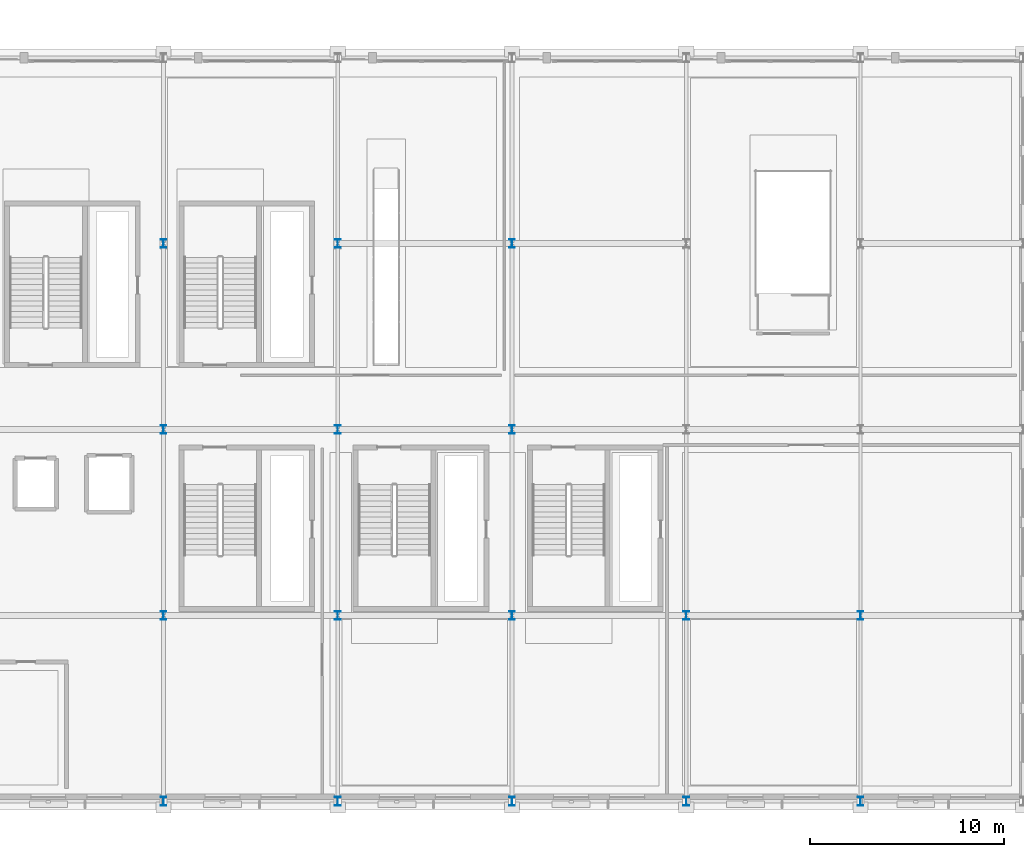
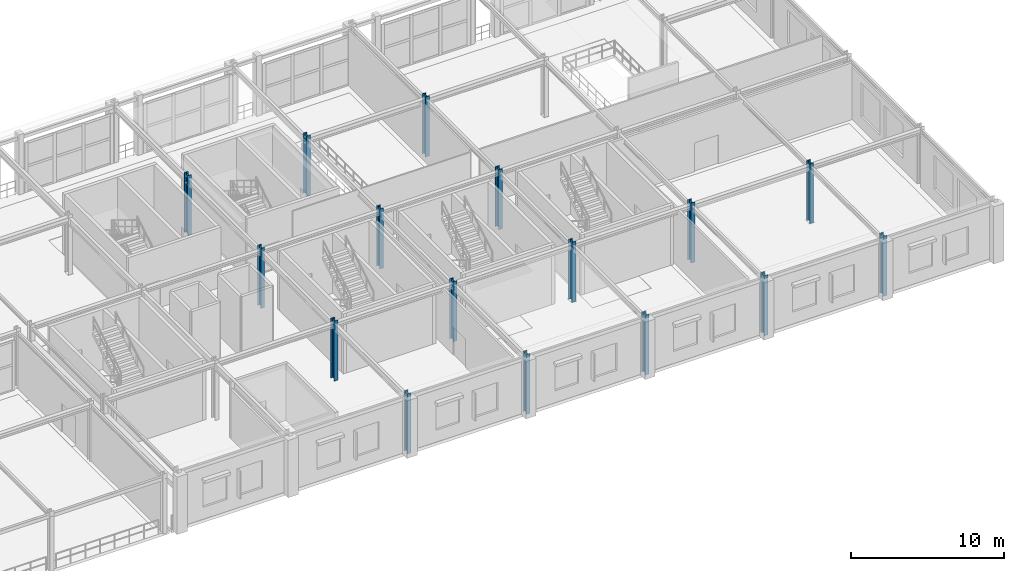
# One storey, part 17 of 125: 16 columns.
"""IFC4 building model written with IfcOpenShell, lengths in metres."""

from ifc_helpers import new_model, si_unit, direction, frame, origin, origin_2d, place, context, subcontext, project, spatial, i_section, extrude, material, material_profile, profile_set, type_object, element, save


model = new_model("IFC4")

# Units and contexts
model_context = context("Model", 3, precision=1e-05, world=origin(), true_north=direction((0.0, 1.0)))
body_context = subcontext(model_context, "Body", "Model", "MODEL_VIEW")
ifc_project = project(units=[si_unit("LENGTHUNIT", "METRE"), si_unit("AREAUNIT", "SQUARE_METRE"), si_unit("VOLUMEUNIT", "CUBIC_METRE"), si_unit("PLANEANGLEUNIT", "RADIAN"), si_unit("MASSUNIT", "GRAM", prefix="KILO")], contexts=[model_context])

# Site, building, storey
site_placement = place(None, origin())
site = spatial("IfcSite", under=ifc_project, at=site_placement, CompositionType="ELEMENT")
building_placement = place(site_placement, origin())
building = spatial("IfcBuilding", under=site, at=building_placement, Name="Myrtia Square Station", CompositionType="ELEMENT")
storey_placement = place(building_placement, frame((0.0, 0.0, 6.0)))
storey = spatial("IfcBuildingStorey", under=building, at=storey_placement, Name="L01", CompositionType="ELEMENT", Elevation=6.0)

# Columns
ifc_material = material(Name="Steel S355", Category="steel")
ifc_material_profile = material_profile(ifc_material, i_section(OverallWidth=0.300048828125, OverallDepth=0.449951171875, WebThickness=0.013916015625, FlangeThickness=0.02587890625, FilletRadius=0.027099609375, at=origin_2d()), Name="HEB 450")
ifc_profile_set = profile_set([ifc_material_profile], Name="Steel S355")
column_type = type_object("IfcColumnType", Name="COL-HEB450", PredefinedType="COLUMN", material=ifc_profile_set)
for number, where, z_axis, x_axis, name in (
    (1, (135.0, 0.0, 0.0), (0.0, 0.0, 1.0), (1.0, 0.0, 0.0), "Column L01-0611"),
    (2, (135.0, 9.60009765625, 0.0), (0.0, 0.0, 1.0), (1.0, 0.0, 0.0), "Column L01-0616"),
    (3, (135.0, 19.199951171875, 0.0), (0.0, 0.0, 1.0), (1.0, 0.0, 0.0), "Column L01-0621"),
    (4, (135.0, 28.800048828125, 0.0), (0.0, 0.0, 1.0), (1.0, 0.0, 0.0), "Column L01-0626"),
    (5, (144.0, 0.0, 0.0), (0.0, 0.0, 1.0), (1.0, 0.0, 0.0), "Column L01-0636"),
    (6, (144.0, 9.60009765625, 0.0), (0.0, 0.0, 1.0), (1.0, 0.0, 0.0), "Column L01-0641"),
    (7, (144.0, 19.199951171875, 0.0), (0.0, 0.0, 1.0), (1.0, 0.0, 0.0), "Column L01-0646"),
    (8, (144.0, 28.800048828125, 0.0), (0.0, 0.0, 1.0), (1.0, 0.0, 0.0), "Column L01-0651"),
    (9, (153.0, 0.0, 0.0), (0.0, 0.0, 1.0), (1.0, 0.0, 0.0), "Column L01-0661"),
    (10, (153.0, 9.60009765625, 0.0), (0.0, 0.0, 1.0), (1.0, 0.0, 0.0), "Column L01-0665"),
    (11, (153.0, 19.199951171875, 0.0), (0.0, 0.0, 1.0), (1.0, 0.0, 0.0), "Column L01-0669"),
    (12, (153.0, 28.800048828125, 0.0), (0.0, 0.0, 1.0), (1.0, 0.0, 0.0), "Column L01-0673"),
    (13, (162.0, 0.0, 0.0), (0.0, 0.0, 1.0), (1.0, 0.0, 0.0), "Column L01-0681"),
    (14, (162.0, 9.60009765625, 0.0), (0.0, 0.0, 1.0), (1.0, 0.0, 0.0), "Column L01-0685"),
    (15, (171.0, 0.0, 0.0), (0.0, 0.0, 1.0), (1.0, 0.0, 0.0), "Column L01-0701"),
    (16, (171.0, 9.60009765625, 0.0), (0.0, 0.0, 1.0), (1.0, 0.0, 0.0), "Column L01-0704"),
):
    element("IfcColumn", number, at=place(storey_placement, frame(where, z_axis=z_axis, x_axis=x_axis)), inside=storey, type_object=column_type, Name=name, PredefinedType="COLUMN", context=body_context, shape_type="SweptSolid", body=[
        extrude(i_section(OverallWidth=0.300048828125, OverallDepth=0.449951171875, WebThickness=0.013916015625, FlangeThickness=0.02587890625, FilletRadius=0.027099609375, at=origin_2d()), origin(), (0.0, 0.0, 1.0), 4.800048828125),
    ])

save(model, "model.ifc")
